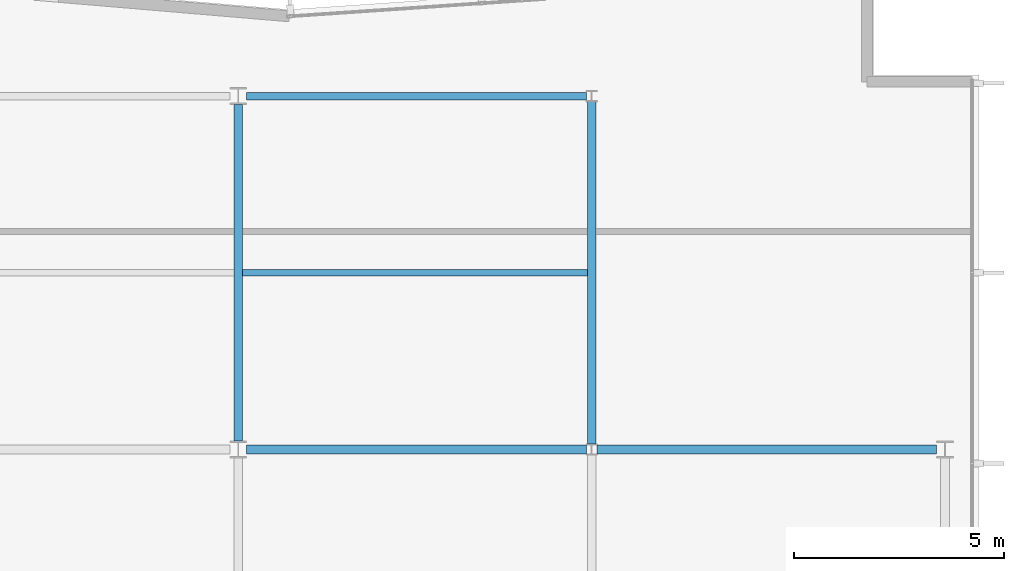
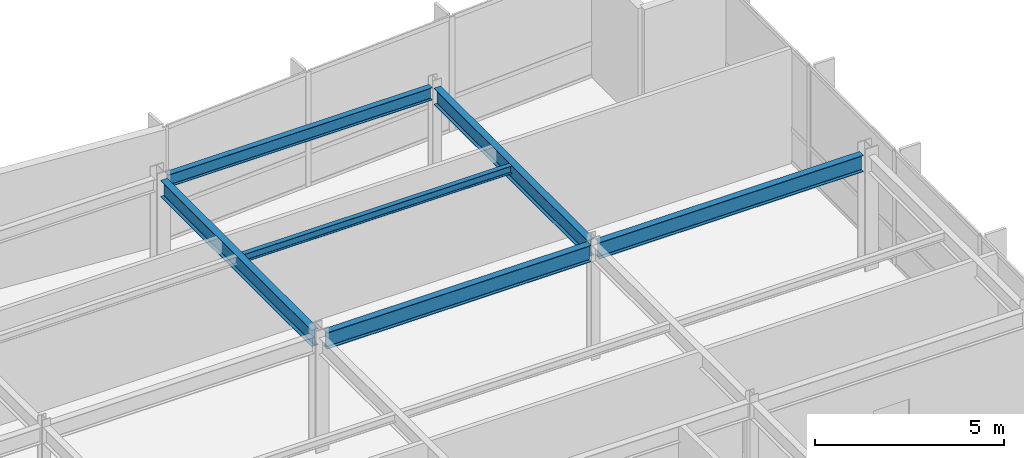
# One storey, part 6 of 16: 6 beams.
"""IFC4 building model written with IfcOpenShell, lengths in metres."""

from ifc_helpers import new_model, si_unit, direction, frame, origin, origin_2d, place, context, subcontext, project, spatial, i_section, extrude, material, material_profile, profile_set, type_object, element, save


model = new_model("IFC4")

# Units and contexts
model_context = context("Model", 3, precision=1e-05, world=origin(), true_north=direction((0.0, 1.0)))
body_context = subcontext(model_context, "Body", "Model", "MODEL_VIEW")
ifc_project = project(units=[si_unit("LENGTHUNIT", "METRE"), si_unit("AREAUNIT", "SQUARE_METRE"), si_unit("VOLUMEUNIT", "CUBIC_METRE"), si_unit("PLANEANGLEUNIT", "RADIAN"), si_unit("MASSUNIT", "GRAM", prefix="KILO")], contexts=[model_context])

# Site, building, storey
site_placement = place(None, origin())
site = spatial("IfcSite", under=ifc_project, at=site_placement, CompositionType="ELEMENT")
building_placement = place(site_placement, origin())
building = spatial("IfcBuilding", under=site, at=building_placement, Name="Varnakote Quay Hospital", CompositionType="ELEMENT")
storey_placement = place(building_placement, frame((0.0, 0.0, 180.25)))
storey = spatial("IfcBuildingStorey", under=building, at=storey_placement, Name="L44", CompositionType="ELEMENT", Elevation=180.25)

# Beams
ifc_material_1 = material(Name="Structural steel AS/NZS 3679.1 Grade 350 L0 (fy 340 MPa)", Category="steel")
ifc_material_profile_1 = material_profile(ifc_material_1, i_section(OverallWidth=0.208984375, OverallDepth=0.532958984375, WebThickness=0.01025390625, FlangeThickness=0.015625, FilletRadius=0.013916015625, at=origin_2d()), Name="530UB92.4")
ifc_profile_set_1 = profile_set([ifc_material_profile_1], Name="Structural steel AS/NZS 3679.1 Grade 350 L0 (fy 340 MPa)")
beam_type_1 = type_object("IfcBeamType", Name="BM-STL-530UB92-4", PredefinedType="BEAM", material=ifc_profile_set_1)
for number, where, z_axis, x_axis, name in (
    (1, (33.800048828125, 20.39990234375, 3.443603515625), (1.0, 0.0, 0.0), (0.0, 1.0, 0.0), "L44 Primary Floor Beam"),
    (2, (42.1279296875, 20.39990234375, 3.443603515625), (1.0, 0.0, 0.0), (0.0, 1.0, 0.0), "L44 Primary Floor Beam"),
):
    element("IfcBeam", number, at=place(storey_placement, frame(where, z_axis=z_axis, x_axis=x_axis)), inside=storey, type_object=beam_type_1, Name=name, PredefinedType="BEAM", context=body_context, shape_type="SweptSolid", body=[
        extrude(i_section(OverallWidth=0.208984375, OverallDepth=0.532958984375, WebThickness=0.01025390625, FlangeThickness=0.015625, FilletRadius=0.013916015625, at=origin_2d()), origin(), (0.0, 0.0, 1.0), 8.072021484375),
    ])
beam_1_placement = place(storey_placement, frame((33.60009765625, 20.60205078125, 3.443603515625), z_axis=(0.0, 1.0, 0.0), x_axis=(-1.0, 0.0, 0.0)))
element("IfcBeam", 3, at=beam_1_placement, inside=storey, type_object=beam_type_1, Name="L44 Primary Tie Beam", PredefinedType="BEAM", context=body_context, shape_type="SweptSolid", body=[
    extrude(i_section(OverallWidth=0.208984375, OverallDepth=0.532958984375, WebThickness=0.01025390625, FlangeThickness=0.015625, FilletRadius=0.013916015625, at=origin_2d()), origin(), (0.0, 0.0, 1.0), 7.995849609375),
])
beam_2_placement = place(storey_placement, frame((42.0, 20.530029296875, 3.443603515625), z_axis=(0.0, 1.0, 0.0), x_axis=(-1.0, 0.0, 0.0)))
element("IfcBeam", 4, at=beam_2_placement, inside=storey, type_object=beam_type_1, Name="L44 Primary Tie Beam", PredefinedType="BEAM", context=body_context, shape_type="SweptSolid", body=[
    extrude(i_section(OverallWidth=0.208984375, OverallDepth=0.532958984375, WebThickness=0.01025390625, FlangeThickness=0.015625, FilletRadius=0.013916015625, at=origin_2d()), origin(), (0.0, 0.0, 1.0), 8.139892578125),
])
ifc_material_2 = material(Name="Structural steel AS/NZS 3679.1 Grade 350 L0 (fy 340 MPa)", Category="steel")
ifc_material_profile_2 = material_profile(ifc_material_2, i_section(OverallWidth=0.14599609375, OverallDepth=0.256103515625, WebThickness=0.00634765625, FlangeThickness=0.010986328125, FilletRadius=0.0087890625, at=origin_2d()), Name="250UB37.3")
ifc_profile_set_2 = profile_set([ifc_material_profile_2], Name="Structural steel AS/NZS 3679.1 Grade 350 L0 (fy 340 MPa)")
beam_type_2 = type_object("IfcBeamType", Name="JST-STL-250UB37-3", PredefinedType="JOIST", material=ifc_profile_set_2)
beam_3_placement = place(storey_placement, frame((33.70458984375, 24.60009765625, 3.58203125), z_axis=(1.0, 0.0, 0.0), x_axis=(0.0, 1.0, 0.0)))
element("IfcBeam", 5, at=beam_3_placement, inside=storey, type_object=beam_type_2, Name="L44 Composite Floor Joist", PredefinedType="JOIST", context=body_context, shape_type="SweptSolid", body=[
    extrude(i_section(OverallWidth=0.14599609375, OverallDepth=0.256103515625, WebThickness=0.00634765625, FlangeThickness=0.010986328125, FilletRadius=0.0087890625, at=origin_2d()), origin(), (0.0, 0.0, 1.0), 8.19091796875),
])
ifc_material_3 = material(Name="Structural steel AS/NZS 3679.1 Grade 350 L0 (fy 340 MPa)", Category="steel")
ifc_material_profile_3 = material_profile(ifc_material_3, i_section(OverallWidth=0.177978515625, OverallDepth=0.406005859375, WebThickness=0.0078125, FlangeThickness=0.0126953125, FilletRadius=0.011474609375, at=origin_2d()), Name="410UB59.7")
ifc_profile_set_3 = profile_set([ifc_material_profile_3], Name="Structural steel AS/NZS 3679.1 Grade 350 L0 (fy 340 MPa)")
beam_type_3 = type_object("IfcBeamType", Name="SPN-STL-410UB59-7", PredefinedType="SPANDREL", material=ifc_profile_set_3)
beam_4_placement = place(storey_placement, frame((33.800048828125, 28.800048828125, 3.507080078125), z_axis=(1.0, 0.0, 0.0), x_axis=(0.0, 1.0, 0.0)))
element("IfcBeam", 6, at=beam_4_placement, inside=storey, type_object=beam_type_3, Name="L44 Perimeter Spandrel Beam", PredefinedType="SPANDREL", context=body_context, shape_type="SweptSolid", body=[
    extrude(i_section(OverallWidth=0.177978515625, OverallDepth=0.406005859375, WebThickness=0.0078125, FlangeThickness=0.0126953125, FilletRadius=0.011474609375, at=origin_2d()), origin(), (0.0, 0.0, 1.0), 8.072021484375),
])

save(model, "model.ifc")
